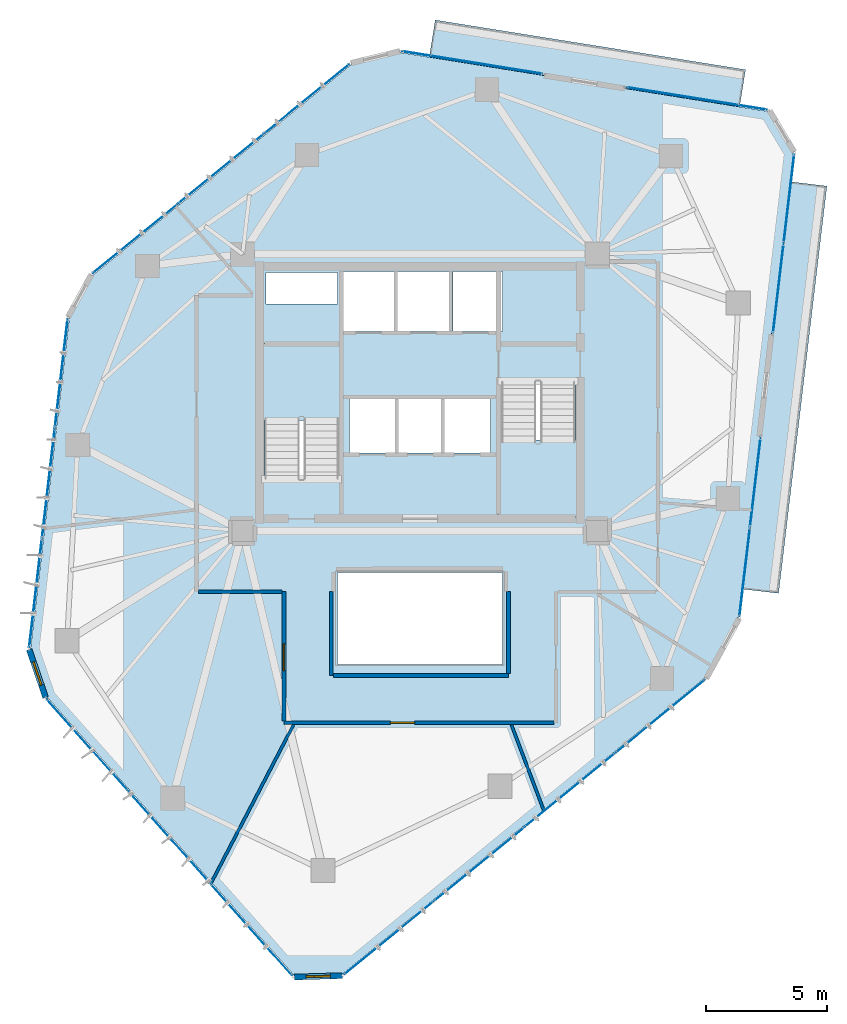
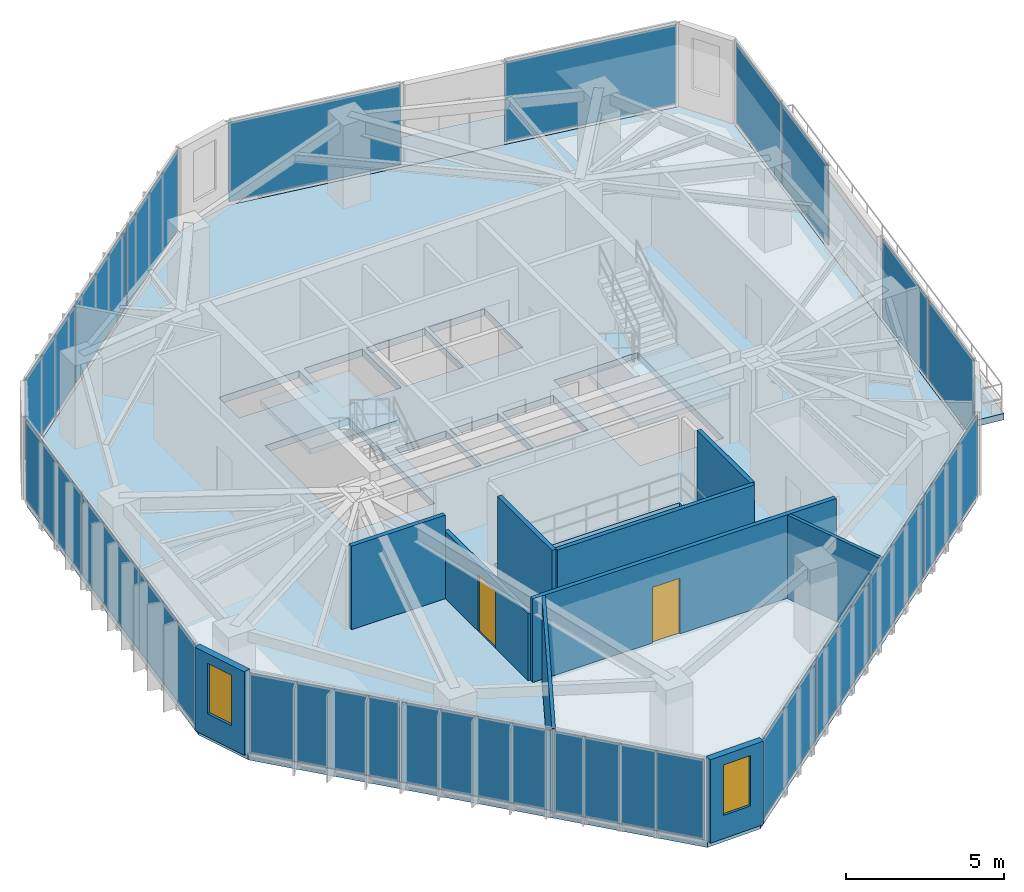
# One storey, part 17 of 22: 19 plates, 10 walls, 5 slabs, 2 doors, 2 windows, 4 openings, 10 elements without a shape of their own.
"""IFC4 building model written with IfcOpenShell, lengths in metres."""

from ifc_helpers import new_model, si_unit, direction, frame, frame_2d, origin, origin_2d, place, context, subcontext, project, spatial, polyline, rectangle, outline, extrude, source, transform, mapped, material, layer, layer_set, type_object, type_shapes, element, fill, aggregate, save


model = new_model("IFC4")

# Units and contexts
model_context = context("Model", 3, precision=1e-05, world=origin(), true_north=direction((0.0, 1.0)))
body_context = subcontext(model_context, "Body", "Model", "MODEL_VIEW")
ifc_project = project(units=[si_unit("LENGTHUNIT", "METRE"), si_unit("AREAUNIT", "SQUARE_METRE"), si_unit("VOLUMEUNIT", "CUBIC_METRE"), si_unit("PLANEANGLEUNIT", "RADIAN"), si_unit("MASSUNIT", "GRAM", prefix="KILO")], contexts=[model_context])

# Site, building, storey
site_placement = place(None, origin())
site = spatial("IfcSite", under=ifc_project, at=site_placement, CompositionType="ELEMENT")
building_placement = place(site_placement, origin())
building = spatial("IfcBuilding", under=site, at=building_placement, Name="Talar Marvaseh", CompositionType="ELEMENT")
storey_placement = place(building_placement, frame((0.0, 0.0, 208.199951171875)))
storey = spatial("IfcBuildingStorey", under=building, at=storey_placement, Name="L54", CompositionType="ELEMENT", Elevation=208.199951171875)

# Slabs
ifc_material_1 = material(Name="Concrete C40/50", Category="concrete")
ifc_layer_1 = layer(ifc_material_1, 0.2451171875)
ifc_layer_set_1 = layer_set([ifc_layer_1], Name="Concrete C40/50")
slab_type_1 = type_object("IfcSlabType", Name="External Cantilevered Planted Terrace Slab 245", PredefinedType="FLOOR", material=ifc_layer_set_1)
slab_1_placement = place(storey_placement, frame((0.0, 0.0, -0.244873046875)))
element("IfcSlab", 1, at=slab_1_placement, inside=storey, type_object=slab_type_1, Name="L54 Planted Balcony Terrace 1", PredefinedType="FLOOR", context=body_context, shape_type="SweptSolid", body=[
    extrude(outline(polyline([(26.38720703125, 45.010986328125), (39.16357421875, 42.96533203125), (39.40869140625, 44.495849609375), (26.63232421875, 46.54150390625), (26.38720703125, 45.010986328125)])), origin(), (0.0, 0.0, 1.0), 0.244873046875),
])
slab_2_placement = place(storey_placement, frame((0.0, 0.0, -0.244873046875)))
element("IfcSlab", 2, at=slab_2_placement, inside=storey, type_object=slab_type_1, Name="L54 Planted Balcony Terrace 2", PredefinedType="FLOOR", context=body_context, shape_type="SweptSolid", body=[
    extrude(outline(polyline([(41.220703125, 39.885498046875), (39.23291015625, 23.11474609375), (40.772216796875, 22.932373046875), (42.760009765625, 39.703125), (41.220703125, 39.885498046875)])), origin(), (0.0, 0.0, 1.0), 0.244873046875),
])

# Stair, slab
stair_type = type_object("IfcStairType", Name="Reinforced Concrete High-Rise Exit Stair Type C", PredefinedType="HALF_TURN_STAIR", material=ifc_material_1)
stair_1_placement = place(storey_placement, origin())
stair_1 = element("IfcStair", 3, at=stair_1_placement, inside=storey, type_object=stair_type, Name="L54 Tower West Core Exit Stair", PredefinedType="HALF_TURN_STAIR")
ifc_layer_2 = layer(ifc_material_1, 0.199951171875)
ifc_layer_set_2 = layer_set([ifc_layer_2], Name="Concrete C40/50")
slab_type_2 = type_object("IfcSlabType", Name="Reinforced Concrete Stair Half-Landing Slab 200", PredefinedType="LANDING", material=ifc_layer_set_2)
slab_3_placement = place(storey_placement, frame((0.0, 0.0, 1.550048828125)))
slab_3 = element("IfcSlab", 4, at=slab_3_placement, type_object=slab_type_2, Name="ST-1 landing 1", PredefinedType="LANDING", context=body_context, shape_type="SweptSolid", body=[
    extrude(outline(polyline([(22.780029296875, 30.050048828125), (22.780029296875, 33.219970703125), (19.47998046875, 33.219970703125), (19.47998046875, 30.050048828125), (22.780029296875, 30.050048828125)])), origin(), (0.0, 0.0, 1.0), 0.199951171875),
])
aggregate(stair_1, [slab_3])

stair_2_placement = place(storey_placement, origin())
stair_2 = element("IfcStair", 5, at=stair_2_placement, inside=storey, type_object=stair_type, Name="L54 Tower East Core Exit Stair", PredefinedType="HALF_TURN_STAIR")
slab_4_placement = place(storey_placement, frame((0.0, 0.0, 1.550048828125)))
slab_4 = element("IfcSlab", 6, at=slab_4_placement, type_object=slab_type_2, Name="ST-2 landing 1", PredefinedType="LANDING", context=body_context, shape_type="SweptSolid", body=[
    extrude(outline(polyline([(29.219970703125, 29.25), (29.219970703125, 26.080078125), (32.52001953125, 26.080078125), (32.52001953125, 29.25), (29.219970703125, 29.25)])), origin(), (0.0, 0.0, 1.0), 0.199951171875),
])
aggregate(stair_2, [slab_4])

# Slab
ifc_layer_3 = layer(ifc_material_1, 0.27001953125)
ifc_layer_set_3 = layer_set([ifc_layer_3], Name="Concrete C40/50")
slab_type_3 = type_object("IfcSlabType", Name="Structural Suspended Floor Slab 270", PredefinedType="FLOOR", material=ifc_layer_set_3)
slab_5_placement = place(storey_placement, frame((0.0, 0.0, -0.27001953125)))
element("IfcSlab", 7, at=slab_5_placement, inside=storey, type_object=slab_type_3, Name="L54 Tower Floor Slab", PredefinedType="FLOOR", context=body_context, shape_type="SweptSolid", body=[
    extrude(outline(polyline([(22.802978515625, 7.248779296875), (20.826171875, 7.191162109375), (10.642822265625, 18.662109375), (9.96728515625, 20.638427734375), (11.565185546875, 34.27685546875), (12.528564453125, 36.033203125), (23.172607421875, 44.70849609375), (25.202392578125, 45.20068359375), (40.348388671875, 42.775634765625), (41.36181640625, 41.0771484375), (39.091796875, 21.923095703125), (37.73779296875, 19.454833984375), (22.802978515625, 7.248779296875)]), holes=[polyline([(22.659912109375, 27.64990234375), (22.659912109375, 33.10009765625), (19.60009765625, 33.10009765625), (19.60009765625, 27.64990234375), (22.659912109375, 27.64990234375)]), polyline([(29.340087890625, 31.64990234375), (29.340087890625, 26.199951171875), (32.39990234375, 26.199951171875), (32.39990234375, 31.64990234375), (29.340087890625, 31.64990234375)]), polyline([(22.800048828125, 33.719970703125), (24.93994140625, 33.719970703125), (24.93994140625, 36.179931640625), (22.800048828125, 36.179931640625), (22.800048828125, 33.719970703125)]), polyline([(25.080078125, 33.719970703125), (27.219970703125, 33.719970703125), (27.219970703125, 36.179931640625), (25.080078125, 36.179931640625), (25.080078125, 33.719970703125)]), polyline([(27.360107421875, 33.719970703125), (29.39990234375, 33.719970703125), (29.39990234375, 36.179931640625), (27.360107421875, 36.179931640625), (27.360107421875, 33.719970703125)]), polyline([(23.10009765625, 28.719970703125), (24.97998046875, 28.719970703125), (24.97998046875, 30.93994140625), (23.10009765625, 30.93994140625), (23.10009765625, 28.719970703125)]), polyline([(25.1201171875, 28.719970703125), (26.8798828125, 28.719970703125), (26.8798828125, 30.93994140625), (25.1201171875, 30.93994140625), (25.1201171875, 28.719970703125)]), polyline([(27.02001953125, 28.719970703125), (28.89990234375, 28.719970703125), (28.89990234375, 30.93994140625), (27.02001953125, 30.93994140625), (27.02001953125, 28.719970703125)]), polyline([(19.659912109375, 34.840087890625), (22.60009765625, 34.840087890625), (22.60009765625, 36.139892578125), (19.659912109375, 36.139892578125), (19.659912109375, 34.840087890625)]), polyline([(22.60009765625, 20.0), (29.39990234375, 20.0), (29.39990234375, 23.800048828125), (22.60009765625, 23.800048828125), (22.60009765625, 20.0)])]), origin(), (0.0, 0.0, 1.0), 0.27001953125),
])

# Curtain wall, plates
ifc_material_2 = material(Name="Architectural Aluminium", Category="aluminium")
ifc_layer_4 = layer(ifc_material_2, 0.18994140625)
ifc_layer_set_4 = layer_set([ifc_layer_4], Name="Architectural Aluminium")
curtain_wall_type = type_object("IfcCurtainWallType", Name="Unitised Solar Atelier Curtain Wall Z3", PredefinedType="NOTDEFINED", material=ifc_layer_set_4)
curtain_wall_1_placement = place(storey_placement, origin())
curtain_wall_1 = element("IfcCurtainWall", 8, at=curtain_wall_1_placement, inside=storey, type_object=curtain_wall_type, Name="L54 Unitised Solar Atelier Curtain Wall Z3", PredefinedType="NOTDEFINED")
ifc_material_3 = material(Name="Laminated Low-E Solar Glass", Category="glass")
ifc_layer_5 = layer(ifc_material_3, 0.028076171875)
ifc_layer_set_5 = layer_set([ifc_layer_5], Name="Laminated Low-E Solar Glass")
plate_type = type_object("IfcPlateType", Name="Double-Glazed Low-E Vision Curtain Panel 28", PredefinedType="CURTAIN_PANEL", material=ifc_layer_set_5)
shared_shape_1 = source(origin(), body_context, "Body", "SweptSolid", [
    extrude(rectangle(XDim=5.00048828125, YDim=0.028076171875, at=origin_2d()), origin(), (0.0, 0.0, 1.0), 3.080078125),
])
plate_1_placement = place(storey_placement, frame((19.071533203125, 9.0771484375, 0.074951171875), z_axis=(0.0, 0.0, 1.0), x_axis=(-0.663881765717, 0.747837549972, 0.0)))
plate_1 = element("IfcPlate", 9, at=plate_1_placement, type_object=plate_type, Name="CW-Z3 panel 1.1", PredefinedType="CURTAIN_PANEL", context=body_context, shape_type="MappedRepresentation", body=[
    mapped(shared_shape_1, transform((0.0, 0.0, 0.0), x_axis=(1.0, 0.0, 0.0), y_axis=(0.0, 1.0, 0.0), z_axis=(0.0, 0.0, 1.0), scale=1.0)),
])
plate_2_placement = place(storey_placement, frame((12.3076171875, 16.696533203125, 0.074951171875), z_axis=(0.0, 0.0, 1.0), x_axis=(-0.663881765717, 0.747837549972, 0.0)))
plate_2 = element("IfcPlate", 10, at=plate_2_placement, type_object=plate_type, Name="CW-Z3 panel 3.1", PredefinedType="CURTAIN_PANEL", context=body_context, shape_type="MappedRepresentation", body=[
    mapped(shared_shape_1, transform((0.0, 0.0, 0.0), x_axis=(1.0, 0.0, 0.0), y_axis=(0.0, 1.0, 0.0), z_axis=(0.0, 0.0, 1.0), scale=1.0)),
])
shared_shape_2 = source(origin(), body_context, "Body", "SweptSolid", [
    extrude(rectangle(XDim=5.0380859375, YDim=0.028076171875, at=origin_2d()), origin(), (0.0, 0.0, 1.0), 3.080078125),
])
plate_3_placement = place(storey_placement, frame((15.689697265625, 12.886962890625, 0.074951171875), z_axis=(0.0, 0.0, 1.0), x_axis=(-0.663881765717, 0.747837549972, 0.0)))
plate_3 = element("IfcPlate", 11, at=plate_3_placement, type_object=plate_type, Name="CW-Z3 panel 2.1", PredefinedType="CURTAIN_PANEL", context=body_context, shape_type="MappedRepresentation", body=[
    mapped(shared_shape_2, transform((0.0, 0.0, 0.0), x_axis=(1.0, 0.0, 0.0), y_axis=(0.0, 1.0, 0.0), z_axis=(0.0, 0.0, 1.0), scale=1.0)),
])
aggregate(curtain_wall_1, [plate_1, plate_3, plate_2])

curtain_wall_2_placement = place(storey_placement, origin())
curtain_wall_2 = element("IfcCurtainWall", 12, at=curtain_wall_2_placement, inside=storey, type_object=curtain_wall_type, Name="L54 Unitised Solar Atelier Curtain Wall Z3", PredefinedType="NOTDEFINED")
shared_shape_3 = source(origin(), body_context, "Body", "SweptSolid", [
    extrude(rectangle(XDim=4.46484375, YDim=0.028076171875, at=origin_2d()), origin(), (0.0, 0.0, 1.0), 3.080078125),
])
plate_4_placement = place(storey_placement, frame((10.176025390625, 22.937255859375, 0.074951171875), z_axis=(0.0, 0.0, 1.0), x_axis=(0.116365888114, 0.993206413634, 0.0)))
plate_4 = element("IfcPlate", 13, at=plate_4_placement, type_object=plate_type, Name="CW-Z3 panel 1.1", PredefinedType="CURTAIN_PANEL", context=body_context, shape_type="MappedRepresentation", body=[
    mapped(shared_shape_3, transform((0.0, 0.0, 0.0), x_axis=(1.0, 0.0, 0.0), y_axis=(0.0, 1.0, 0.0), z_axis=(0.0, 0.0, 1.0), scale=1.0)),
])
plate_5_placement = place(storey_placement, frame((11.237060546875, 31.9921875, 0.074951171875), z_axis=(0.0, 0.0, 1.0), x_axis=(0.116365888114, 0.993206413634, 0.0)))
plate_5 = element("IfcPlate", 14, at=plate_5_placement, type_object=plate_type, Name="CW-Z3 panel 3.1", PredefinedType="CURTAIN_PANEL", context=body_context, shape_type="MappedRepresentation", body=[
    mapped(shared_shape_3, transform((0.0, 0.0, 0.0), x_axis=(1.0, 0.0, 0.0), y_axis=(0.0, 1.0, 0.0), z_axis=(0.0, 0.0, 1.0), scale=1.0)),
])

curtain_wall_3_placement = place(storey_placement, origin())
curtain_wall_3 = element("IfcCurtainWall", 15, at=curtain_wall_3_placement, inside=storey, type_object=curtain_wall_type, Name="L54 Unitised Solar Atelier Curtain Wall Z3", PredefinedType="NOTDEFINED")
plate_6_placement = place(storey_placement, frame((14.279052734375, 37.537353515625, 0.074951171875), z_axis=(0.0, 0.0, 1.0), x_axis=(0.775144767248, 0.63178365744, 0.0)))
plate_6 = element("IfcPlate", 16, at=plate_6_placement, type_object=plate_type, Name="CW-Z3 panel 1.1", PredefinedType="CURTAIN_PANEL", context=body_context, shape_type="MappedRepresentation", body=[
    mapped(shared_shape_3, transform((0.0, 0.0, 0.0), x_axis=(1.0, 0.0, 0.0), y_axis=(0.0, 1.0, 0.0), z_axis=(0.0, 0.0, 1.0), scale=1.0)),
])
plate_7_placement = place(storey_placement, frame((21.34619140625, 43.29736328125, 0.074951171875), z_axis=(0.0, 0.0, 1.0), x_axis=(0.775144767248, 0.63178365744, 0.0)))
plate_7 = element("IfcPlate", 17, at=plate_7_placement, type_object=plate_type, Name="CW-Z3 panel 3.1", PredefinedType="CURTAIN_PANEL", context=body_context, shape_type="MappedRepresentation", body=[
    mapped(shared_shape_3, transform((0.0, 0.0, 0.0), x_axis=(1.0, 0.0, 0.0), y_axis=(0.0, 1.0, 0.0), z_axis=(0.0, 0.0, 1.0), scale=1.0)),
])

# Plate
shared_shape_4 = source(origin(), body_context, "Body", "SweptSolid", [
    extrude(rectangle(XDim=4.502197265625, YDim=0.028076171875, at=origin_2d()), origin(), (0.0, 0.0, 1.0), 3.080078125),
])
plate_8_placement = place(storey_placement, frame((10.70654296875, 27.464599609375, 0.074951171875), z_axis=(0.0, 0.0, 1.0), x_axis=(0.116365888114, 0.993206413634, 0.0)))
plate_8 = element("IfcPlate", 18, at=plate_8_placement, type_object=plate_type, Name="CW-Z3 panel 2.1", PredefinedType="CURTAIN_PANEL", context=body_context, shape_type="MappedRepresentation", body=[
    mapped(shared_shape_4, transform((0.0, 0.0, 0.0), x_axis=(1.0, 0.0, 0.0), y_axis=(0.0, 1.0, 0.0), z_axis=(0.0, 0.0, 1.0), scale=1.0)),
])

aggregate(curtain_wall_2, [plate_4, plate_8, plate_5])

plate_9_placement = place(storey_placement, frame((17.812744140625, 40.417236328125, 0.074951171875), z_axis=(0.0, 0.0, 1.0), x_axis=(0.775144767248, 0.63178365744, 0.0)))
plate_9 = element("IfcPlate", 19, at=plate_9_placement, type_object=plate_type, Name="CW-Z3 panel 2.1", PredefinedType="CURTAIN_PANEL", context=body_context, shape_type="MappedRepresentation", body=[
    mapped(shared_shape_4, transform((0.0, 0.0, 0.0), x_axis=(1.0, 0.0, 0.0), y_axis=(0.0, 1.0, 0.0), z_axis=(0.0, 0.0, 1.0), scale=1.0)),
])

aggregate(curtain_wall_3, [plate_6, plate_9, plate_7])

# Curtain wall, plates
curtain_wall_4_placement = place(storey_placement, origin())
curtain_wall_4 = element("IfcCurtainWall", 20, at=curtain_wall_4_placement, inside=storey, type_object=curtain_wall_type, Name="L54 Unitised Solar Atelier Curtain Wall Z3", PredefinedType="NOTDEFINED")
shared_shape_5 = source(origin(), body_context, "Body", "SweptSolid", [
    extrude(rectangle(XDim=4.70947265625, YDim=0.028076171875, at=origin_2d()), origin(), (0.0, 0.0, 1.0), 3.080078125),
])
plate_10_placement = place(storey_placement, frame((35.89453125, 17.870849609375, 0.074951171875), z_axis=(0.0, 0.0, 1.0), x_axis=(-0.774297209801, -0.632822116312, 0.0)))
plate_10 = element("IfcPlate", 21, at=plate_10_placement, type_object=plate_type, Name="CW-Z3 panel 1.1", PredefinedType="CURTAIN_PANEL", context=body_context, shape_type="MappedRepresentation", body=[
    mapped(shared_shape_5, transform((0.0, 0.0, 0.0), x_axis=(1.0, 0.0, 0.0), y_axis=(0.0, 1.0, 0.0), z_axis=(0.0, 0.0, 1.0), scale=1.0)),
])
plate_11_placement = place(storey_placement, frame((24.722412109375, 8.739990234375, 0.074951171875), z_axis=(0.0, 0.0, 1.0), x_axis=(-0.774297209801, -0.632822116312, 0.0)))
plate_11 = element("IfcPlate", 22, at=plate_11_placement, type_object=plate_type, Name="CW-Z3 panel 4.1", PredefinedType="CURTAIN_PANEL", context=body_context, shape_type="MappedRepresentation", body=[
    mapped(shared_shape_5, transform((0.0, 0.0, 0.0), x_axis=(1.0, 0.0, 0.0), y_axis=(0.0, 1.0, 0.0), z_axis=(0.0, 0.0, 1.0), scale=1.0)),
])
shared_shape_6 = source(origin(), body_context, "Body", "SweptSolid", [
    extrude(rectangle(XDim=4.7470703125, YDim=0.028076171875, at=origin_2d()), origin(), (0.0, 0.0, 1.0), 3.080078125),
])
plate_12_placement = place(storey_placement, frame((32.17529296875, 14.8310546875, 0.074951171875), z_axis=(0.0, 0.0, 1.0), x_axis=(-0.774297209801, -0.632822116312, 0.0)))
plate_12 = element("IfcPlate", 23, at=plate_12_placement, type_object=plate_type, Name="CW-Z3 panel 2.1", PredefinedType="CURTAIN_PANEL", context=body_context, shape_type="MappedRepresentation", body=[
    mapped(shared_shape_6, transform((0.0, 0.0, 0.0), x_axis=(1.0, 0.0, 0.0), y_axis=(0.0, 1.0, 0.0), z_axis=(0.0, 0.0, 1.0), scale=1.0)),
])
plate_13_placement = place(storey_placement, frame((28.441650390625, 11.779541015625, 0.074951171875), z_axis=(0.0, 0.0, 1.0), x_axis=(-0.774297209801, -0.632822116312, 0.0)))
plate_13 = element("IfcPlate", 24, at=plate_13_placement, type_object=plate_type, Name="CW-Z3 panel 3.1", PredefinedType="CURTAIN_PANEL", context=body_context, shape_type="MappedRepresentation", body=[
    mapped(shared_shape_6, transform((0.0, 0.0, 0.0), x_axis=(1.0, 0.0, 0.0), y_axis=(0.0, 1.0, 0.0), z_axis=(0.0, 0.0, 1.0), scale=1.0)),
])
aggregate(curtain_wall_4, [plate_10, plate_12, plate_13, plate_11])

# Curtain wall, plate
curtain_wall_5_placement = place(storey_placement, origin())
curtain_wall_5 = element("IfcCurtainWall", 25, at=curtain_wall_5_placement, inside=storey, type_object=curtain_wall_type, Name="L54 Unitised Solar Atelier Curtain Wall Z3", PredefinedType="NOTDEFINED")
shared_shape_7 = source(origin(), body_context, "Body", "SweptSolid", [
    extrude(rectangle(XDim=5.832275390625, YDim=0.028076171875, at=origin_2d()), origin(), (0.0, 0.0, 1.0), 3.080078125),
])
plate_14_placement = place(storey_placement, frame((28.165283203125, 44.786865234375, 0.074951171875), z_axis=(0.0, 0.0, 1.0), x_axis=(0.987425501976, -0.15808503423, 0.0)))
plate_14 = element("IfcPlate", 26, at=plate_14_placement, type_object=plate_type, Name="CW-Z3 panel 1.1", PredefinedType="CURTAIN_PANEL", context=body_context, shape_type="MappedRepresentation", body=[
    mapped(shared_shape_7, transform((0.0, 0.0, 0.0), x_axis=(1.0, 0.0, 0.0), y_axis=(0.0, 1.0, 0.0), z_axis=(0.0, 0.0, 1.0), scale=1.0)),
])
aggregate(curtain_wall_5, [plate_14])

curtain_wall_6_placement = place(storey_placement, origin())
curtain_wall_6 = element("IfcCurtainWall", 27, at=curtain_wall_6_placement, inside=storey, type_object=curtain_wall_type, Name="L54 Unitised Solar Atelier Curtain Wall Z3", PredefinedType="NOTDEFINED")
plate_15_placement = place(storey_placement, frame((37.404541015625, 43.3076171875, 0.074951171875), z_axis=(0.0, 0.0, 1.0), x_axis=(0.987425501976, -0.15808503423, 0.0)))
plate_15 = element("IfcPlate", 28, at=plate_15_placement, type_object=plate_type, Name="CW-Z3 panel 1.1", PredefinedType="CURTAIN_PANEL", context=body_context, shape_type="MappedRepresentation", body=[
    mapped(shared_shape_7, transform((0.0, 0.0, 0.0), x_axis=(1.0, 0.0, 0.0), y_axis=(0.0, 1.0, 0.0), z_axis=(0.0, 0.0, 1.0), scale=1.0)),
])
aggregate(curtain_wall_6, [plate_15])

# Curtain wall, plates
curtain_wall_7_placement = place(storey_placement, origin())
curtain_wall_7 = element("IfcCurtainWall", 29, at=curtain_wall_7_placement, inside=storey, type_object=curtain_wall_type, Name="L54 Unitised Solar Atelier Curtain Wall Z3", PredefinedType="NOTDEFINED")
shared_shape_8 = source(origin(), body_context, "Body", "SweptSolid", [
    extrude(rectangle(XDim=3.648681640625, YDim=0.028076171875, at=origin_2d()), origin(), (0.0, 0.0, 1.0), 3.080078125),
])
type_shapes(plate_type, [shared_shape_1, shared_shape_2, shared_shape_3, shared_shape_4, shared_shape_5, shared_shape_6, shared_shape_7, shared_shape_8])
plate_16_placement = place(storey_placement, frame((41.197998046875, 39.183837890625, 0.074951171875), z_axis=(0.0, 0.0, 1.0), x_axis=(-0.117688869355, -0.993050517361, 0.0)))
plate_16 = element("IfcPlate", 30, at=plate_16_placement, type_object=plate_type, Name="CW-Z3 panel 1.1", PredefinedType="CURTAIN_PANEL", context=body_context, shape_type="MappedRepresentation", body=[
    mapped(shared_shape_8, transform((0.0, 0.0, 0.0), x_axis=(1.0, 0.0, 0.0), y_axis=(0.0, 1.0, 0.0), z_axis=(0.0, 0.0, 1.0), scale=1.0)),
])
plate_17_placement = place(storey_placement, frame((40.759765625, 35.486083984375, 0.074951171875), z_axis=(0.0, 0.0, 1.0), x_axis=(-0.117688869355, -0.993050517361, 0.0)))
plate_17 = element("IfcPlate", 31, at=plate_17_placement, type_object=plate_type, Name="CW-Z3 panel 2.1", PredefinedType="CURTAIN_PANEL", context=body_context, shape_type="MappedRepresentation", body=[
    mapped(shared_shape_8, transform((0.0, 0.0, 0.0), x_axis=(1.0, 0.0, 0.0), y_axis=(0.0, 1.0, 0.0), z_axis=(0.0, 0.0, 1.0), scale=1.0)),
])
aggregate(curtain_wall_7, [plate_16, plate_17])

curtain_wall_8_placement = place(storey_placement, origin())
curtain_wall_8 = element("IfcCurtainWall", 32, at=curtain_wall_8_placement, inside=storey, type_object=curtain_wall_type, Name="L54 Unitised Solar Atelier Curtain Wall Z3", PredefinedType="NOTDEFINED")
plate_18_placement = place(storey_placement, frame((39.813232421875, 27.5, 0.074951171875), z_axis=(0.0, 0.0, 1.0), x_axis=(-0.117688869355, -0.993050517361, 0.0)))
plate_18 = element("IfcPlate", 33, at=plate_18_placement, type_object=plate_type, Name="CW-Z3 panel 1.1", PredefinedType="CURTAIN_PANEL", context=body_context, shape_type="MappedRepresentation", body=[
    mapped(shared_shape_8, transform((0.0, 0.0, 0.0), x_axis=(1.0, 0.0, 0.0), y_axis=(0.0, 1.0, 0.0), z_axis=(0.0, 0.0, 1.0), scale=1.0)),
])
plate_19_placement = place(storey_placement, frame((39.375, 23.80224609375, 0.074951171875), z_axis=(0.0, 0.0, 1.0), x_axis=(-0.117688869355, -0.993050517361, 0.0)))
plate_19 = element("IfcPlate", 34, at=plate_19_placement, type_object=plate_type, Name="CW-Z3 panel 2.1", PredefinedType="CURTAIN_PANEL", context=body_context, shape_type="MappedRepresentation", body=[
    mapped(shared_shape_8, transform((0.0, 0.0, 0.0), x_axis=(1.0, 0.0, 0.0), y_axis=(0.0, 1.0, 0.0), z_axis=(0.0, 0.0, 1.0), scale=1.0)),
])
aggregate(curtain_wall_8, [plate_18, plate_19])

# Wall, opening, window
ifc_material_4 = material(Name="Precast concrete C45/55", Category="concrete")
ifc_layer_6 = layer(ifc_material_4, 0.239990234375)
ifc_layer_set_6 = layer_set([ifc_layer_6], Name="Precast concrete C45/55")
wall_type_1 = type_object("IfcWallType", Name="Chamfered Hexagonal Corner Pier Wall Z3 240", PredefinedType="SOLIDWALL", material=ifc_layer_set_6)
wall_1_placement = place(storey_placement, frame((22.8046875, 7.18896484375, 0.0), z_axis=(0.0, 0.0, 1.0), x_axis=(-0.999571905676, -0.029257569673, 0.0)))
wall_1 = element("IfcWall", 35, at=wall_1_placement, inside=storey, type_object=wall_type_1, Name="L54 Chamfered Corner Limestone Pier 1", PredefinedType="SOLIDWALL", context=body_context, shape_type="SweptSolid", body=[
    extrude(rectangle(XDim=1.9775390625, YDim=0.239990234375, at=frame_2d((0.98876953125, 0.0))), origin(), (0.0, 0.0, 1.0), 3.22998046875),
])
opening_1_placement = place(wall_1_placement, frame((0.489013671875, 0.0, 0.89990234375)))
opening_1 = element("IfcOpeningElement", 36, at=opening_1_placement, cuts=wall_1, Name="Opening WN-CHM10", PredefinedType="OPENING", context=body_context, shape_type="SweptSolid", body=[
    extrude(rectangle(XDim=1.0, YDim=1.949951171875, at=frame_2d((0.5, 0.97509765625))), frame((0.0, 0.1298828125, 0.0), z_axis=(0.0, -1.0, 0.0), x_axis=(1.0, 0.0, 0.0)), (0.0, 0.0, 1.0), 0.260009765625),
])
window_type = type_object("IfcWindowType", Name="Zone 3 Chamfered Corner Slot Window 1000x1950", PartitioningType="SINGLE_PANEL", PredefinedType="WINDOW", material=ifc_material_3)
shared_shape_9 = source(origin(), body_context, "Body", "SweptSolid", [
    extrude(rectangle(XDim=1.0, YDim=1.949951171875, at=frame_2d((0.5, 0.97509765625))), frame((0.0, 0.030029296875, 0.0), z_axis=(0.0, -1.0, 0.0), x_axis=(1.0, 0.0, 0.0)), (0.0, 0.0, 1.0), 0.06005859375),
])
type_shapes(window_type, [shared_shape_9])
window_1_placement = place(opening_1_placement, origin())
window_1 = element("IfcWindow", 37, at=window_1_placement, inside=storey, type_object=window_type, Name="L54 Chamfered Corner Slot Window", OverallHeight=1.949951171875, OverallWidth=1.0, PartitioningType="SINGLE_PANEL", PredefinedType="WINDOW", context=body_context, shape_type="MappedRepresentation", body=[
    mapped(shared_shape_9, transform((0.0, 0.0, 0.0), x_axis=(1.0, 0.0, 0.0), y_axis=(0.0, 1.0, 0.0), z_axis=(0.0, 0.0, 1.0), scale=1.0)),
])
fill(opening_1, window_1)

wall_2_placement = place(storey_placement, frame((10.586181640625, 18.642822265625, 0.0), z_axis=(0.0, 0.0, 1.0), x_axis=(-0.323547235435, 0.946212019815, 0.0)))
wall_2 = element("IfcWall", 38, at=wall_2_placement, inside=storey, type_object=wall_type_1, Name="L54 Chamfered Corner Limestone Pier 2", PredefinedType="SOLIDWALL", context=body_context, shape_type="SweptSolid", body=[
    extrude(rectangle(XDim=2.088623046875, YDim=0.239990234375, at=frame_2d((1.04443359375, 0.0))), origin(), (0.0, 0.0, 1.0), 3.22998046875),
])
opening_2_placement = place(wall_2_placement, frame((0.5439453125, 0.0, 0.89990234375)))
opening_2 = element("IfcOpeningElement", 39, at=opening_2_placement, cuts=wall_2, Name="Opening WN-CHM10", PredefinedType="OPENING", context=body_context, shape_type="SweptSolid", body=[
    extrude(rectangle(XDim=1.0, YDim=1.949951171875, at=frame_2d((0.5, 0.97509765625))), frame((0.0, 0.1298828125, 0.0), z_axis=(0.0, -1.0, 0.0), x_axis=(1.0, 0.0, 0.0)), (0.0, 0.0, 1.0), 0.260009765625),
])
window_2_placement = place(opening_2_placement, origin())
window_2 = element("IfcWindow", 40, at=window_2_placement, inside=storey, type_object=window_type, Name="L54 Chamfered Corner Slot Window", OverallHeight=1.949951171875, OverallWidth=1.0, PartitioningType="SINGLE_PANEL", PredefinedType="WINDOW", context=body_context, shape_type="MappedRepresentation", body=[
    mapped(shared_shape_9, transform((0.0, 0.0, 0.0), x_axis=(1.0, 0.0, 0.0), y_axis=(0.0, 1.0, 0.0), z_axis=(0.0, 0.0, 1.0), scale=1.0)),
])
fill(opening_2, window_2)

# Wall, opening, door
ifc_material_5 = material(Name="Gypsum Board Partition Assembly")
ifc_layer_7 = layer(ifc_material_5, 0.155029296875)
ifc_layer_set_7 = layer_set([ifc_layer_7], Name="Gypsum Board Partition Assembly")
wall_type_2 = type_object("IfcWallType", Name="Corridor Fire-Rated Acoustic Partition 155", PredefinedType="PARTITIONING", material=ifc_layer_set_7)
wall_3_placement = place(storey_placement, frame((31.5166015625, 17.60009765625, 0.0), z_axis=(0.0, 0.0, 1.0), x_axis=(-1.0, 0.0, 0.0)))
wall_3 = element("IfcWall", 41, at=wall_3_placement, inside=storey, type_object=wall_type_2, Name="L54 Interior Partition Wall", PredefinedType="PARTITIONING", context=body_context, shape_type="SweptSolid", body=[
    extrude(rectangle(XDim=11.11669921875, YDim=0.155029296875, at=frame_2d((5.558349609375, 0.0))), origin(), (0.0, 0.0, 1.0), 3.22998046875),
])
opening_3_placement = place(wall_3_placement, frame((5.730712890625, 0.0, 0.0)))
opening_3 = element("IfcOpeningElement", 42, at=opening_3_placement, cuts=wall_3, Name="Opening DR-RM100", PredefinedType="OPENING", context=body_context, shape_type="SweptSolid", body=[
    extrude(rectangle(XDim=1.0, YDim=2.14990234375, at=frame_2d((0.5, 1.074951171875))), frame((0.0, 0.08740234375, 0.0), z_axis=(0.0, -1.0, 0.0), x_axis=(1.0, 0.0, 0.0)), (0.0, 0.0, 1.0), 0.175048828125),
])
ifc_material_6 = material(Name="Acoustic Engineered Oak Timber", Category="wood")
door_type_1 = type_object("IfcDoorType", Name="Corridor Fire-Rated Gallery Door 1000x2150", OperationType="NOTDEFINED", PredefinedType="DOOR", material=ifc_material_6)
shared_shape_10 = source(origin(), body_context, "Body", "SweptSolid", [
    extrude(rectangle(XDim=1.0, YDim=2.14990234375, at=frame_2d((0.5, 1.074951171875))), frame((0.0, 0.02490234375, 0.0), z_axis=(0.0, -1.0, 0.0), x_axis=(1.0, 0.0, 0.0)), (0.0, 0.0, 1.0), 0.050048828125),
])
type_shapes(door_type_1, [shared_shape_10])
door_1_placement = place(opening_3_placement, origin())
door_1 = element("IfcDoor", 43, at=door_1_placement, inside=storey, type_object=door_type_1, Name="L54 Museum Publication Bookshop Door", OperationType="SINGLE_SWING_RIGHT", OverallHeight=2.14990234375, OverallWidth=1.0, PredefinedType="DOOR", context=body_context, shape_type="MappedRepresentation", body=[
    mapped(shared_shape_10, transform((0.0, 0.0, 0.0), x_axis=(1.0, 0.0, 0.0), y_axis=(0.0, 1.0, 0.0), z_axis=(0.0, 0.0, 1.0), scale=1.0)),
])
fill(opening_3, door_1)

wall_4_placement = place(storey_placement, frame((20.39990234375, 17.68359375, 0.0), z_axis=(0.0, 0.0, 1.0), x_axis=(0.0, 1.0, 0.0)))
wall_4 = element("IfcWall", 44, at=wall_4_placement, inside=storey, type_object=wall_type_2, Name="L54 Interior Partition Wall", PredefinedType="PARTITIONING", context=body_context, shape_type="SweptSolid", body=[
    extrude(rectangle(XDim=5.31640625, YDim=0.155029296875, at=frame_2d((2.658203125, 0.0))), origin(), (0.0, 0.0, 1.0), 2.589111328125),
])
opening_4_placement = place(wall_4_placement, frame((2.06640625, 0.0, 0.0)))
opening_4 = element("IfcOpeningElement", 45, at=opening_4_placement, cuts=wall_4, Name="Opening DR-RM110", PredefinedType="OPENING", context=body_context, shape_type="SweptSolid", body=[
    extrude(rectangle(XDim=1.10009765625, YDim=2.199951171875, at=frame_2d((0.550048828125, 1.10009765625))), frame((0.0, 0.08740234375, 0.0), z_axis=(0.0, -1.0, 0.0), x_axis=(1.0, 0.0, 0.0)), (0.0, 0.0, 1.0), 0.175048828125),
])
door_type_2 = type_object("IfcDoorType", Name="Assembly and Reading Hall Door 1100x2200", OperationType="NOTDEFINED", PredefinedType="DOOR", material=ifc_material_6)
shared_shape_11 = source(origin(), body_context, "Body", "SweptSolid", [
    extrude(rectangle(XDim=1.10009765625, YDim=2.199951171875, at=frame_2d((0.550048828125, 1.10009765625))), frame((0.0, 0.02490234375, 0.0), z_axis=(0.0, -1.0, 0.0), x_axis=(1.0, 0.0, 0.0)), (0.0, 0.0, 1.0), 0.050048828125),
])
type_shapes(door_type_2, [shared_shape_11])
door_2_placement = place(opening_4_placement, origin())
door_2 = element("IfcDoor", 46, at=door_2_placement, inside=storey, type_object=door_type_2, Name="L54 Gallery Concierge Reception Door", OperationType="SINGLE_SWING_LEFT", OverallHeight=2.199951171875, OverallWidth=1.10009765625, PredefinedType="DOOR", context=body_context, shape_type="MappedRepresentation", body=[
    mapped(shared_shape_11, transform((0.0, 0.0, 0.0), x_axis=(1.0, 0.0, 0.0), y_axis=(0.0, 1.0, 0.0), z_axis=(0.0, 0.0, 1.0), scale=1.0)),
])
fill(opening_4, door_2)

# Walls
wall_5_placement = place(storey_placement, frame((20.31640625, 23.0, 0.0), z_axis=(0.0, 0.0, 1.0), x_axis=(-1.0, 0.0, 0.0)))
element("IfcWall", 47, at=wall_5_placement, inside=storey, type_object=wall_type_2, Name="L54 Interior Partition Wall", PredefinedType="PARTITIONING", context=body_context, shape_type="SweptSolid", body=[
    extrude(rectangle(XDim=3.432861328125, YDim=0.155029296875, at=frame_2d((1.71630859375, 0.0))), origin(), (0.0, 0.0, 1.0), 3.22998046875),
])
wall_6_placement = place(storey_placement, frame((22.35009765625, 23.0, 0.0), z_axis=(0.0, 0.0, 1.0), x_axis=(0.0, -1.0, 0.0)))
element("IfcWall", 48, at=wall_6_placement, inside=storey, type_object=wall_type_2, Name="L54 Interior Partition Wall", PredefinedType="PARTITIONING", context=body_context, shape_type="SweptSolid", body=[
    extrude(rectangle(XDim=3.449951171875, YDim=0.155029296875, at=frame_2d((1.72509765625, 0.0))), origin(), (0.0, 0.0, 1.0), 3.22998046875),
])
wall_7_placement = place(storey_placement, frame((22.43359375, 19.550048828125, 0.0), z_axis=(0.0, 0.0, 1.0), x_axis=(1.0, 0.0, 0.0)))
element("IfcWall", 49, at=wall_7_placement, inside=storey, type_object=wall_type_2, Name="L54 Interior Partition Wall", PredefinedType="PARTITIONING", context=body_context, shape_type="SweptSolid", body=[
    extrude(rectangle(XDim=7.21630859375, YDim=0.155029296875, at=frame_2d((3.608154296875, 0.0))), origin(), (0.0, 0.0, 1.0), 3.22998046875),
])
wall_8_placement = place(storey_placement, frame((29.64990234375, 19.633544921875, 0.0), z_axis=(0.0, 0.0, 1.0), x_axis=(0.0, 1.0, 0.0)))
element("IfcWall", 50, at=wall_8_placement, inside=storey, type_object=wall_type_2, Name="L54 Interior Partition Wall", PredefinedType="PARTITIONING", context=body_context, shape_type="SweptSolid", body=[
    extrude(rectangle(XDim=3.366455078125, YDim=0.155029296875, at=frame_2d((1.68310546875, 0.0))), origin(), (0.0, 0.0, 1.0), 3.22998046875),
])
ifc_layer_8 = layer(ifc_material_5, 0.1201171875)
ifc_layer_set_8 = layer_set([ifc_layer_8], Name="Gypsum Board Partition Assembly")
wall_type_3 = type_object("IfcWallType", Name="Demountable Studio Room Partition 120", PredefinedType="PARTITIONING", material=ifc_layer_set_8)
wall_9_placement = place(storey_placement, frame((20.79638671875, 17.5166015625, 0.0), z_axis=(0.0, 0.0, 1.0), x_axis=(-0.462028014276, -0.886865330264, 0.0)))
element("IfcWall", 51, at=wall_9_placement, inside=storey, type_object=wall_type_3, Name="L54 Interior Partition Wall", PredefinedType="PARTITIONING", context=body_context, shape_type="SweptSolid", body=[
    extrude(rectangle(XDim=7.352294921875, YDim=0.1201171875, at=frame_2d((3.67626953125, 0.0))), origin(), (0.0, 0.0, 1.0), 3.22998046875),
])
wall_10_placement = place(storey_placement, frame((29.771484375, 17.5166015625, 0.0), z_axis=(0.0, 0.0, 1.0), x_axis=(0.353505012471, -0.935432630475, 0.0)))
element("IfcWall", 52, at=wall_10_placement, inside=storey, type_object=wall_type_3, Name="L54 Interior Partition Wall", PredefinedType="PARTITIONING", context=body_context, shape_type="SweptSolid", body=[
    extrude(rectangle(XDim=3.77294921875, YDim=0.1201171875, at=frame_2d((1.886474609375, 0.0))), origin(), (0.0, 0.0, 1.0), 3.22998046875),
])

save(model, "model.ifc")
